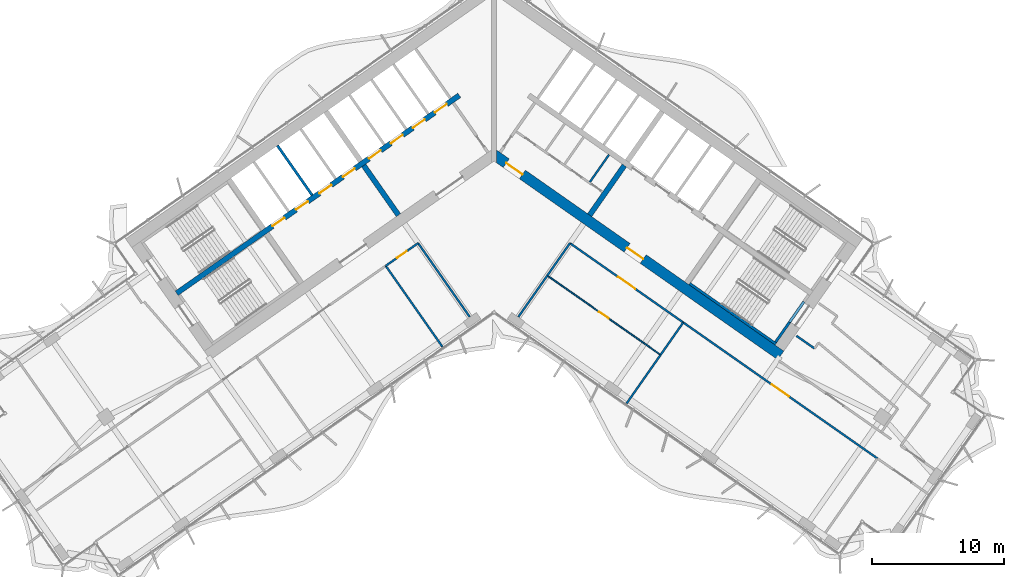
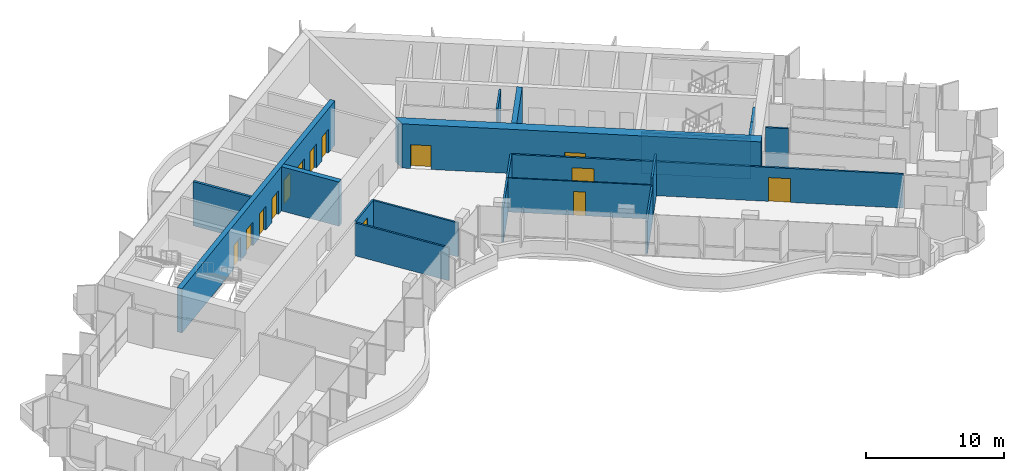
# One storey, part 13 of 21: 20 walls, 14 doors, 14 openings.
"""IFC4 building model written with IfcOpenShell, lengths in metres."""

from ifc_helpers import new_model, si_unit, direction, frame, frame_2d, origin, place, context, subcontext, project, spatial, polyline, rectangle, outline, extrude, material, layer, layer_set, type_object, element, fill, save


model = new_model("IFC4")

# Units and contexts
model_context = context("Model", 3, precision=1e-05, world=origin(), true_north=direction((0.0, 1.0)))
body_context = subcontext(model_context, "Body", "Model", "MODEL_VIEW")
ifc_project = project(units=[si_unit("LENGTHUNIT", "METRE"), si_unit("AREAUNIT", "SQUARE_METRE"), si_unit("VOLUMEUNIT", "CUBIC_METRE"), si_unit("PLANEANGLEUNIT", "RADIAN"), si_unit("MASSUNIT", "GRAM", prefix="KILO")], contexts=[model_context])

# Site, building, storey
site_placement = place(None, origin())
site = spatial("IfcSite", under=ifc_project, at=site_placement, CompositionType="ELEMENT")
building_placement = place(site_placement, origin())
building = spatial("IfcBuilding", under=site, at=building_placement, Name="Tel Ilan Convention Tower", CompositionType="ELEMENT")
storey_placement = place(building_placement, frame((0.0, 0.0, 151.5)))
storey = spatial("IfcBuildingStorey", under=building, at=storey_placement, Name="L34", CompositionType="ELEMENT", Elevation=151.5)

# Walls
ifc_material_1 = material(Name="Gypsum Plasterboard on Steel Stud", Category="steel")
ifc_layer_1 = layer(ifc_material_1, 0.14990234375)
ifc_layer_set_1 = layer_set([ifc_layer_1], Name="Core Room Partition Wall 150 mm EI 60")
wall_type_1 = type_object("IfcWallType", Name="Core Room Partition Wall 150 mm EI 60", PredefinedType="PARTITIONING", material=ifc_layer_set_1)
wall_1_placement = place(storey_placement, frame((7.280517578125, -2.808837890625, 0.0), z_axis=(0.0, 0.0, 1.0), x_axis=(0.573566168143, 0.81915923407, 0.0)))
element("IfcWall", 1, at=wall_1_placement, inside=storey, type_object=wall_type_1, Name="L34 core wall wc-v2", PredefinedType="PARTITIONING", context=body_context, shape_type="SweptSolid", body=[
    extrude(rectangle(XDim=2.52490234375, YDim=0.14990234375, at=frame_2d((1.262451171875, 0.0))), origin(), (0.0, 0.0, 1.0), 3.6201171875),
])
ifc_material_2 = material(Name="Concrete C50/60", Category="concrete")
ifc_layer_2 = layer(ifc_material_2, 0.39990234375)
ifc_layer_set_2 = layer_set([ifc_layer_2], Name="Core Shear Wall 400 mm C50/60")
wall_type_2 = type_object("IfcWallType", Name="Core Shear Wall 400 mm C50/60", PredefinedType="SHEAR", material=ifc_layer_set_2)
wall_2_placement = place(storey_placement, frame((-7.2578125, -5.325927734375, 0.0), z_axis=(0.0, 0.0, 1.0), x_axis=(-0.573540709186, 0.819177059558, 0.0)))
element("IfcWall", 2, at=wall_2_placement, inside=storey, type_object=wall_type_2, Name="L34 core wall W-cross1-1", PredefinedType="SHEAR", context=body_context, shape_type="SweptSolid", body=[
    extrude(outline(polyline([(4.599853515625, 0.2001953125), (-0.000244140625, 0.199951171875), (-0.000244140625, -0.2001953125), (4.599853515625, -0.199951171875), (4.599853515625, 0.2001953125)])), origin(), (0.0, 0.0, 1.0), 3.89990234375),
])

# Wall, openings, doors
wall_3_placement = place(storey_placement, frame((-2.638427734375, 3.76806640625, 0.0), z_axis=(0.0, 0.0, 1.0), x_axis=(-0.81915267502, -0.573575535572, 0.0)))
wall_3 = element("IfcWall", 3, at=wall_3_placement, inside=storey, type_object=wall_type_2, Name="L34 core wall W-spine", PredefinedType="SHEAR", context=body_context, shape_type="SweptSolid", body=[
    extrude(outline(polyline([(26.199951171875, 0.199951171875), (0.0, 0.199951171875), (0.0, -0.199951171875), (26.199951171875, -0.199951171875), (26.199951171875, 0.199951171875)])), origin(), (0.0, 0.0, 1.0), 3.89990234375),
])
opening_1_placement = place(wall_3_placement, frame((1.168701171875, 0.0, 0.0)))
opening_1 = element("IfcOpeningElement", 4, at=opening_1_placement, cuts=wall_3, Name="Opening LD2704", PredefinedType="OPENING", context=body_context, shape_type="SweptSolid", body=[
    extrude(rectangle(XDim=1.10009765625, YDim=2.10009765625, at=frame_2d((0.550048828125, 1.050048828125))), frame((0.0, 0.2099609375, 0.0), z_axis=(0.0, -1.0, 0.0), x_axis=(1.0, 0.0, 0.0)), (0.0, 0.0, 1.0), 0.419921875),
])
opening_2_placement = place(wall_3_placement, frame((3.206298828125, 0.0, 0.0)))
opening_2 = element("IfcOpeningElement", 5, at=opening_2_placement, cuts=wall_3, Name="Opening LD2705", PredefinedType="OPENING", context=body_context, shape_type="SweptSolid", body=[
    extrude(rectangle(XDim=1.10009765625, YDim=2.10009765625, at=frame_2d((0.550048828125, 1.050048828125))), frame((0.0, 0.2099609375, 0.0), z_axis=(0.0, -1.0, 0.0), x_axis=(1.0, 0.0, 0.0)), (0.0, 0.0, 1.0), 0.419921875),
])
opening_3_placement = place(wall_3_placement, frame((5.24365234375, 0.0, 0.0)))
opening_3 = element("IfcOpeningElement", 6, at=opening_3_placement, cuts=wall_3, Name="Opening LD2706", PredefinedType="OPENING", context=body_context, shape_type="SweptSolid", body=[
    extrude(rectangle(XDim=1.10009765625, YDim=2.10009765625, at=frame_2d((0.550048828125, 1.050048828125))), frame((0.0, 0.2099609375, 0.0), z_axis=(0.0, -1.0, 0.0), x_axis=(1.0, 0.0, 0.0)), (0.0, 0.0, 1.0), 0.419921875),
])
opening_4_placement = place(wall_3_placement, frame((7.28125, 0.0, 0.0)))
opening_4 = element("IfcOpeningElement", 7, at=opening_4_placement, cuts=wall_3, Name="Opening LD2707", PredefinedType="OPENING", context=body_context, shape_type="SweptSolid", body=[
    extrude(rectangle(XDim=1.10009765625, YDim=2.10009765625, at=frame_2d((0.550048828125, 1.050048828125))), frame((0.0, 0.2099609375, 0.0), z_axis=(0.0, -1.0, 0.0), x_axis=(1.0, 0.0, 0.0)), (0.0, 0.0, 1.0), 0.419921875),
])
opening_5_placement = place(wall_3_placement, frame((9.6875, 0.0, 0.0)))
opening_5 = element("IfcOpeningElement", 8, at=opening_5_placement, cuts=wall_3, Name="Opening LD2708", PredefinedType="OPENING", context=body_context, shape_type="SweptSolid", body=[
    extrude(rectangle(XDim=1.10009765625, YDim=2.10009765625, at=frame_2d((0.550048828125, 1.050048828125))), frame((0.0, 0.2099609375, 0.0), z_axis=(0.0, -1.0, 0.0), x_axis=(1.0, 0.0, 0.0)), (0.0, 0.0, 1.0), 0.419921875),
])
opening_6_placement = place(wall_3_placement, frame((11.862548828125, 0.0, 0.0)))
opening_6 = element("IfcOpeningElement", 9, at=opening_6_placement, cuts=wall_3, Name="Opening LD2709", PredefinedType="OPENING", context=body_context, shape_type="SweptSolid", body=[
    extrude(rectangle(XDim=1.10009765625, YDim=2.10009765625, at=frame_2d((0.550048828125, 1.050048828125))), frame((0.0, 0.2099609375, 0.0), z_axis=(0.0, -1.0, 0.0), x_axis=(1.0, 0.0, 0.0)), (0.0, 0.0, 1.0), 0.419921875),
])
opening_7_placement = place(wall_3_placement, frame((14.03759765625, 0.0, 0.0)))
opening_7 = element("IfcOpeningElement", 10, at=opening_7_placement, cuts=wall_3, Name="Opening LD2710", PredefinedType="OPENING", context=body_context, shape_type="SweptSolid", body=[
    extrude(rectangle(XDim=1.10009765625, YDim=2.10009765625, at=frame_2d((0.550048828125, 1.050048828125))), frame((0.0, 0.2099609375, 0.0), z_axis=(0.0, -1.0, 0.0), x_axis=(1.0, 0.0, 0.0)), (0.0, 0.0, 1.0), 0.419921875),
])
opening_8_placement = place(wall_3_placement, frame((16.21240234375, 0.0, 0.0)))
opening_8 = element("IfcOpeningElement", 11, at=opening_8_placement, cuts=wall_3, Name="Opening LD2711", PredefinedType="OPENING", context=body_context, shape_type="SweptSolid", body=[
    extrude(rectangle(XDim=1.10009765625, YDim=2.10009765625, at=frame_2d((0.550048828125, 1.050048828125))), frame((0.0, 0.2099609375, 0.0), z_axis=(0.0, -1.0, 0.0), x_axis=(1.0, 0.0, 0.0)), (0.0, 0.0, 1.0), 0.419921875),
])
ifc_material_3 = material(Name="Stainless Steel Sliding Door Leaf", Category="steel")
door_type_1 = type_object("IfcDoorType", Name="Lift Landing Door 1100 x 2100 FD120", OperationType="NOTDEFINED", PredefinedType="DOOR", material=ifc_material_3)
door_1_placement = place(opening_1_placement, origin())
door_1 = element("IfcDoor", 12, at=door_1_placement, inside=storey, type_object=door_type_1, Name="Lift LR1 landing door", OperationType="SLIDING_TO_LEFT", OverallHeight=2.10009765625, OverallWidth=1.10009765625, PredefinedType="DOOR", context=body_context, shape_type="SweptSolid", body=[
    extrude(rectangle(XDim=1.10009765625, YDim=2.10009765625, at=frame_2d((0.550048828125, 1.050048828125))), frame((0.0, 0.02490234375, 0.0), z_axis=(0.0, -1.0, 0.0), x_axis=(1.0, 0.0, 0.0)), (0.0, 0.0, 1.0), 0.050048828125),
])
fill(opening_1, door_1)
door_2_placement = place(opening_2_placement, origin())
door_2 = element("IfcDoor", 13, at=door_2_placement, inside=storey, type_object=door_type_1, Name="Lift LR2 landing door", OperationType="SLIDING_TO_RIGHT", OverallHeight=2.10009765625, OverallWidth=1.10009765625, PredefinedType="DOOR", context=body_context, shape_type="SweptSolid", body=[
    extrude(rectangle(XDim=1.10009765625, YDim=2.10009765625, at=frame_2d((0.550048828125, 1.050048828125))), frame((0.0, 0.02490234375, 0.0), z_axis=(0.0, -1.0, 0.0), x_axis=(1.0, 0.0, 0.0)), (0.0, 0.0, 1.0), 0.050048828125),
])
fill(opening_2, door_2)
door_3_placement = place(opening_3_placement, origin())
door_3 = element("IfcDoor", 14, at=door_3_placement, inside=storey, type_object=door_type_1, Name="Lift LR3 landing door", OperationType="SLIDING_TO_LEFT", OverallHeight=2.10009765625, OverallWidth=1.10009765625, PredefinedType="DOOR", context=body_context, shape_type="SweptSolid", body=[
    extrude(rectangle(XDim=1.10009765625, YDim=2.10009765625, at=frame_2d((0.550048828125, 1.050048828125))), frame((0.0, 0.02490234375, 0.0), z_axis=(0.0, -1.0, 0.0), x_axis=(1.0, 0.0, 0.0)), (0.0, 0.0, 1.0), 0.050048828125),
])
fill(opening_3, door_3)
door_4_placement = place(opening_4_placement, origin())
door_4 = element("IfcDoor", 15, at=door_4_placement, inside=storey, type_object=door_type_1, Name="Lift LR4 landing door", OperationType="SLIDING_TO_RIGHT", OverallHeight=2.10009765625, OverallWidth=1.10009765625, PredefinedType="DOOR", context=body_context, shape_type="SweptSolid", body=[
    extrude(rectangle(XDim=1.10009765625, YDim=2.10009765625, at=frame_2d((0.550048828125, 1.050048828125))), frame((0.0, 0.02490234375, 0.0), z_axis=(0.0, -1.0, 0.0), x_axis=(1.0, 0.0, 0.0)), (0.0, 0.0, 1.0), 0.050048828125),
])
fill(opening_4, door_4)
door_5_placement = place(opening_5_placement, origin())
door_5 = element("IfcDoor", 16, at=door_5_placement, inside=storey, type_object=door_type_1, Name="Lift LR5 landing door", OperationType="SLIDING_TO_LEFT", OverallHeight=2.10009765625, OverallWidth=1.10009765625, PredefinedType="DOOR", context=body_context, shape_type="SweptSolid", body=[
    extrude(rectangle(XDim=1.10009765625, YDim=2.10009765625, at=frame_2d((0.550048828125, 1.050048828125))), frame((0.0, 0.02490234375, 0.0), z_axis=(0.0, -1.0, 0.0), x_axis=(1.0, 0.0, 0.0)), (0.0, 0.0, 1.0), 0.050048828125),
])
fill(opening_5, door_5)
door_6_placement = place(opening_6_placement, origin())
door_6 = element("IfcDoor", 17, at=door_6_placement, inside=storey, type_object=door_type_1, Name="Lift LR6 landing door", OperationType="SLIDING_TO_RIGHT", OverallHeight=2.10009765625, OverallWidth=1.10009765625, PredefinedType="DOOR", context=body_context, shape_type="SweptSolid", body=[
    extrude(rectangle(XDim=1.10009765625, YDim=2.10009765625, at=frame_2d((0.550048828125, 1.050048828125))), frame((0.0, 0.02490234375, 0.0), z_axis=(0.0, -1.0, 0.0), x_axis=(1.0, 0.0, 0.0)), (0.0, 0.0, 1.0), 0.050048828125),
])
fill(opening_6, door_6)
door_7_placement = place(opening_7_placement, origin())
door_7 = element("IfcDoor", 18, at=door_7_placement, inside=storey, type_object=door_type_1, Name="Lift LR7 landing door", OperationType="SLIDING_TO_LEFT", OverallHeight=2.10009765625, OverallWidth=1.10009765625, PredefinedType="DOOR", context=body_context, shape_type="SweptSolid", body=[
    extrude(rectangle(XDim=1.10009765625, YDim=2.10009765625, at=frame_2d((0.550048828125, 1.050048828125))), frame((0.0, 0.02490234375, 0.0), z_axis=(0.0, -1.0, 0.0), x_axis=(1.0, 0.0, 0.0)), (0.0, 0.0, 1.0), 0.050048828125),
])
fill(opening_7, door_7)
door_8_placement = place(opening_8_placement, origin())
door_8 = element("IfcDoor", 19, at=door_8_placement, inside=storey, type_object=door_type_1, Name="Lift LR8 landing door", OperationType="SLIDING_TO_RIGHT", OverallHeight=2.10009765625, OverallWidth=1.10009765625, PredefinedType="DOOR", context=body_context, shape_type="SweptSolid", body=[
    extrude(rectangle(XDim=1.10009765625, YDim=2.10009765625, at=frame_2d((0.550048828125, 1.050048828125))), frame((0.0, 0.02490234375, 0.0), z_axis=(0.0, -1.0, 0.0), x_axis=(1.0, 0.0, 0.0)), (0.0, 0.0, 1.0), 0.050048828125),
])
fill(opening_8, door_8)

# Wall
wall_4_placement = place(storey_placement, frame((7.2578125, -5.325927734375, 0.0), z_axis=(0.0, 0.0, 1.0), x_axis=(0.573540709186, 0.819177059558, 0.0)))
element("IfcWall", 20, at=wall_4_placement, inside=storey, type_object=wall_type_2, Name="L34 core wall E-cross1-1", PredefinedType="SHEAR", context=body_context, shape_type="SweptSolid", body=[
    extrude(outline(polyline([(-0.000244140625, 0.2001953125), (-0.000244140625, -0.199951171875), (4.599853515625, -0.2001953125), (4.599853515625, 0.199951171875), (-0.000244140625, 0.2001953125)])), origin(), (0.0, 0.0, 1.0), 3.89990234375),
])

# Wall, openings, doors
ifc_material_4 = material(Name="Concrete C50/60", Category="concrete")
ifc_layer_3 = layer(ifc_material_4, 0.800048828125)
ifc_layer_set_3 = layer_set([ifc_layer_3], Name="Core Shear Wall 800 mm C50/60")
wall_type_3 = type_object("IfcWallType", Name="Core Shear Wall 800 mm C50/60", PredefinedType="SHEAR", material=ifc_layer_set_3)
wall_5_placement = place(storey_placement, frame((-0.029296875, -0.7119140625, 0.0), z_axis=(0.0, 0.0, 1.0), x_axis=(0.819151758019, -0.573576845187, 0.0)))
wall_5 = element("IfcWall", 21, at=wall_5_placement, inside=storey, type_object=wall_type_3, Name="L34 core wall E-front", PredefinedType="SHEAR", context=body_context, shape_type="SweptSolid", body=[
    extrude(outline(polyline([(26.61572265625, 0.39990234375), (-0.000244140625, 0.39990234375), (0.56005859375, -0.39990234375), (26.61572265625, -0.39990234375), (26.61572265625, 0.39990234375)])), origin(), (0.0, 0.0, 1.0), 3.89990234375),
])
opening_9_placement = place(wall_5_placement, frame((1.165771484375, 0.0, 0.0)))
opening_9 = element("IfcOpeningElement", 22, at=opening_9_placement, cuts=wall_5, Name="Opening CD2703", PredefinedType="OPENING", context=body_context, shape_type="SweptSolid", body=[
    extrude(rectangle(XDim=1.5, YDim=2.10009765625, at=frame_2d((0.75, 1.050048828125))), frame((0.0, 0.409912109375, 0.0), z_axis=(0.0, -1.0, 0.0), x_axis=(1.0, 0.0, 0.0)), (0.0, 0.0, 1.0), 0.820068359375),
])
opening_10_placement = place(wall_5_placement, frame((12.36572265625, 0.0, 0.0)))
opening_10 = element("IfcOpeningElement", 23, at=opening_10_placement, cuts=wall_5, Name="Opening CD2704", PredefinedType="OPENING", context=body_context, shape_type="SweptSolid", body=[
    extrude(rectangle(XDim=1.5, YDim=2.10009765625, at=frame_2d((0.75, 1.050048828125))), frame((0.0, 0.409912109375, 0.0), z_axis=(0.0, -1.0, 0.0), x_axis=(1.0, 0.0, 0.0)), (0.0, 0.0, 1.0), 0.820068359375),
])
ifc_material_5 = material(Name="Glazed Aluminium Door Leaf", Category="aluminium")
door_type_2 = type_object("IfcDoorType", Name="Lobby Opening Door 1500 x 2100 FD60S", OperationType="NOTDEFINED", PredefinedType="DOOR", material=ifc_material_5)
door_9_placement = place(opening_10_placement, origin())
door_9 = element("IfcDoor", 24, at=door_9_placement, inside=storey, type_object=door_type_2, Name="Firefighting Lobby door", OperationType="DOUBLE_DOOR_SINGLE_SWING", OverallHeight=2.10009765625, OverallWidth=1.5, PredefinedType="DOOR", context=body_context, shape_type="SweptSolid", body=[
    extrude(rectangle(XDim=1.5, YDim=2.10009765625, at=frame_2d((0.75, 1.050048828125))), frame((0.0, 0.02490234375, 0.0), z_axis=(0.0, -1.0, 0.0), x_axis=(1.0, 0.0, 0.0)), (0.0, 0.0, 1.0), 0.050048828125),
])
fill(opening_10, door_9)
ifc_material_6 = material(Name="Laminated Timber Door Leaf", Category="wood")
door_type_3 = type_object("IfcDoorType", Name="Toilet Door 1500 x 2100 FD30S", OperationType="NOTDEFINED", PredefinedType="DOOR", material=ifc_material_6)
door_10_placement = place(opening_9_placement, origin())
door_10 = element("IfcDoor", 25, at=door_10_placement, inside=storey, type_object=door_type_3, Name="WC Lobby door", OperationType="SINGLE_SWING_RIGHT", OverallHeight=2.10009765625, OverallWidth=1.5, PredefinedType="DOOR", context=body_context, shape_type="SweptSolid", body=[
    extrude(rectangle(XDim=1.5, YDim=2.10009765625, at=frame_2d((0.75, 1.050048828125))), frame((0.0, 0.02490234375, 0.0), z_axis=(0.0, -1.0, 0.0), x_axis=(1.0, 0.0, 0.0)), (0.0, 0.0, 1.0), 0.050048828125),
])
fill(opening_9, door_10)

# Wall, opening, door
ifc_material_7 = material(Name="Plasterboard on Steel Studs", Category="steel")
ifc_layer_4 = layer(ifc_material_7, 0.14990234375)
ifc_layer_set_4 = layer_set([ifc_layer_4], Name="Fire-rated Partition 150 EI 60")
wall_type_4 = type_object("IfcWallType", Name="Fire-rated Partition 150 EI 60", PredefinedType="PARTITIONING", material=ifc_layer_set_4)
wall_6_placement = place(storey_placement, frame((14.369140625, -13.4794921875, 0.0), z_axis=(0.0, 0.0, 1.0), x_axis=(-0.819154371039, 0.573573113393, 0.0)))
wall_6 = element("IfcWall", 26, at=wall_6_placement, inside=storey, type_object=wall_type_4, Name="Partition 003", PredefinedType="PARTITIONING", context=body_context, shape_type="SweptSolid", body=[
    extrude(rectangle(XDim=10.501953125, YDim=0.14990234375, at=frame_2d((5.2509765625, 0.0))), origin(), (0.0, 0.0, 1.0), 3.0),
])
opening_11_placement = place(wall_6_placement, frame((4.450927734375, 0.0, 0.0)))
opening_11 = element("IfcOpeningElement", 27, at=opening_11_placement, cuts=wall_6, Name="Opening L33-008", PredefinedType="OPENING", context=body_context, shape_type="SweptSolid", body=[
    extrude(rectangle(XDim=1.60009765625, YDim=2.10009765625, at=frame_2d((0.800048828125, 1.050048828125))), frame((0.0, 0.0849609375, 0.0), z_axis=(0.0, -1.0, 0.0), x_axis=(1.0, 0.0, 0.0)), (0.0, 0.0, 1.0), 0.169921875),
])
ifc_material_8 = material(Name="Timber Door Leaf in Steel Frame", Category="steel")
door_type_4 = type_object("IfcDoorType", Name="Tenant Suite Entrance Fire Door 1600x2100", OperationType="NOTDEFINED", PredefinedType="DOOR", material=ifc_material_8)
door_11_placement = place(opening_11_placement, origin())
door_11 = element("IfcDoor", 28, at=door_11_placement, inside=storey, type_object=door_type_4, Name="Door L33-008", OperationType="DOUBLE_DOOR_SINGLE_SWING", OverallHeight=2.10009765625, OverallWidth=1.60009765625, PredefinedType="DOOR", context=body_context, shape_type="SweptSolid", body=[
    extrude(rectangle(XDim=1.60009765625, YDim=2.10009765625, at=frame_2d((0.800048828125, 1.050048828125))), frame((0.0, 0.02490234375, 0.0), z_axis=(0.0, -1.0, 0.0), x_axis=(1.0, 0.0, 0.0)), (0.0, 0.0, 1.0), 0.050048828125),
])
fill(opening_11, door_11)

wall_7_placement = place(storey_placement, frame((29.11376953125, -23.803955078125, 0.0), z_axis=(0.0, 0.0, 1.0), x_axis=(-0.81915291695, 0.57357519006, 0.0)))
wall_7 = element("IfcWall", 29, at=wall_7_placement, inside=storey, type_object=wall_type_4, Name="Partition 004", PredefinedType="PARTITIONING", context=body_context, shape_type="SweptSolid", body=[
    extrude(rectangle(XDim=18.00390625, YDim=0.14990234375, at=frame_2d((9.001953125, 0.0))), origin(), (0.0, 0.0, 1.0), 3.0),
])
opening_12_placement = place(wall_7_placement, frame((8.201904296875, 0.0, 0.0)))
opening_12 = element("IfcOpeningElement", 30, at=opening_12_placement, cuts=wall_7, Name="Opening L33-010", PredefinedType="OPENING", context=body_context, shape_type="SweptSolid", body=[
    extrude(rectangle(XDim=1.60009765625, YDim=2.10009765625, at=frame_2d((0.800048828125, 1.050048828125))), frame((0.0, 0.0849609375, 0.0), z_axis=(0.0, -1.0, 0.0), x_axis=(1.0, 0.0, 0.0)), (0.0, 0.0, 1.0), 0.169921875),
])
door_12_placement = place(opening_12_placement, origin())
door_12 = element("IfcDoor", 31, at=door_12_placement, inside=storey, type_object=door_type_4, Name="Door L33-010", OperationType="DOUBLE_DOOR_SINGLE_SWING", OverallHeight=2.10009765625, OverallWidth=1.60009765625, PredefinedType="DOOR", context=body_context, shape_type="SweptSolid", body=[
    extrude(rectangle(XDim=1.60009765625, YDim=2.10009765625, at=frame_2d((0.800048828125, 1.050048828125))), frame((0.0, 0.02490234375, 0.0), z_axis=(0.0, -1.0, 0.0), x_axis=(1.0, 0.0, 0.0)), (0.0, 0.0, 1.0), 0.050048828125),
])
fill(opening_12, door_12)

wall_8_placement = place(storey_placement, frame((-5.766357421875, -7.455810546875, 0.0), z_axis=(0.0, 0.0, 1.0), x_axis=(-0.819132568355, -0.573604249862, 0.0)))
wall_8 = element("IfcWall", 32, at=wall_8_placement, inside=storey, type_object=wall_type_4, Name="Partition 008", PredefinedType="PARTITIONING", context=body_context, shape_type="SweptSolid", body=[
    extrude(rectangle(XDim=3.001953125, YDim=0.14990234375, at=frame_2d((1.5009765625, 0.0))), origin(), (0.0, 0.0, 1.0), 3.0),
])
opening_13_placement = place(wall_8_placement, frame((1.051025390625, 0.0, 0.0)))
opening_13 = element("IfcOpeningElement", 33, at=opening_13_placement, cuts=wall_8, Name="Opening L33-001", PredefinedType="OPENING", context=body_context, shape_type="SweptSolid", body=[
    extrude(rectangle(XDim=0.89990234375, YDim=2.10009765625, at=frame_2d((0.449951171875, 1.050048828125))), frame((0.0, 0.0849609375, 0.0), z_axis=(0.0, -1.0, 0.0), x_axis=(1.0, 0.0, 0.0)), (0.0, 0.0, 1.0), 0.169921875),
])
ifc_material_9 = material(Name="Timber Door Leaf in Steel Frame", Category="steel")
door_type_5 = type_object("IfcDoorType", Name="Room Fire Door 900x2100", OperationType="NOTDEFINED", PredefinedType="DOOR", material=ifc_material_9)
door_13_placement = place(opening_13_placement, origin())
door_13 = element("IfcDoor", 34, at=door_13_placement, inside=storey, type_object=door_type_5, Name="Door L33-001", OperationType="SINGLE_SWING_RIGHT", OverallHeight=2.10009765625, OverallWidth=0.89990234375, PredefinedType="DOOR", context=body_context, shape_type="SweptSolid", body=[
    extrude(rectangle(XDim=0.89990234375, YDim=2.10009765625, at=frame_2d((0.449951171875, 1.050048828125))), frame((0.0, 0.02490234375, 0.0), z_axis=(0.0, -1.0, 0.0), x_axis=(1.0, 0.0, 0.0)), (0.0, 0.0, 1.0), 0.050048828125),
])
fill(opening_13, door_13)

# Walls
wall_9_placement = place(storey_placement, frame((22.961181640625, -14.490478515625, 0.0), z_axis=(0.0, 0.0, 1.0), x_axis=(0.819109000826, -0.573637903879, 0.0)))
element("IfcWall", 35, at=wall_9_placement, inside=storey, type_object=wall_type_4, Name="Partition 016", PredefinedType="PARTITIONING", context=body_context, shape_type="SweptSolid", body=[
    extrude(rectangle(XDim=1.679931640625, YDim=0.14990234375, at=frame_2d((0.83984375, 0.0))), origin(), (0.0, 0.0, 1.0), 3.6201171875),
])
wall_10_placement = place(storey_placement, frame((12.64599609375, -15.9365234375, 0.0), z_axis=(0.0, 0.0, 1.0), x_axis=(-0.573527897688, -0.819186029284, 0.0)))
element("IfcWall", 36, at=wall_10_placement, inside=storey, type_object=wall_type_4, Name="Partition 024", PredefinedType="PARTITIONING", context=body_context, shape_type="SweptSolid", body=[
    extrude(rectangle(XDim=4.4990234375, YDim=0.14990234375, at=frame_2d((2.24951171875, 0.0))), origin(), (0.0, 0.0, 1.0), 2.89990234375),
])
wall_11_placement = place(storey_placement, frame((1.848876953125, -13.050537109375, 0.0), z_axis=(0.0, 0.0, 1.0), x_axis=(0.573594994199, 0.819139049631, 0.0)))
element("IfcWall", 37, at=wall_11_placement, inside=storey, type_object=wall_type_4, Name="Partition 025", PredefinedType="PARTITIONING", context=body_context, shape_type="SweptSolid", body=[
    extrude(rectangle(XDim=3.8291015625, YDim=0.14990234375, at=frame_2d((1.91455078125, 0.0))), origin(), (0.0, 0.0, 1.0), 3.0),
])
wall_12_placement = place(storey_placement, frame((14.367431640625, -13.478515625, 0.0), z_axis=(0.0, 0.0, 1.0), x_axis=(-0.573598887793, -0.819136323161, 0.0)))
element("IfcWall", 38, at=wall_12_placement, inside=storey, type_object=wall_type_4, Name="Partition 026", PredefinedType="PARTITIONING", context=body_context, shape_type="SweptSolid", body=[
    extrude(rectangle(XDim=2.999755859375, YDim=0.14990234375, at=frame_2d((1.5, 0.0))), origin(), (0.0, 0.0, 1.0), 3.6201171875),
])
wall_13_placement = place(storey_placement, frame((4.045654296875, -9.913330078125, 0.0), z_axis=(0.0, 0.0, 1.0), x_axis=(0.573560650686, 0.819163097304, 0.0)))
element("IfcWall", 39, at=wall_13_placement, inside=storey, type_object=wall_type_4, Name="Partition 027", PredefinedType="PARTITIONING", context=body_context, shape_type="SweptSolid", body=[
    extrude(rectangle(XDim=3.0, YDim=0.14990234375, at=frame_2d((1.5, 0.0))), origin(), (0.0, 0.0, 1.0), 3.0),
])
wall_14_placement = place(storey_placement, frame((-1.848876953125, -13.050537109375, 0.0), z_axis=(0.0, 0.0, 1.0), x_axis=(-0.57357985571, 0.819149650018, 0.0)))
element("IfcWall", 40, at=wall_14_placement, inside=storey, type_object=wall_type_4, Name="Partition 029", PredefinedType="PARTITIONING", context=body_context, shape_type="SweptSolid", body=[
    extrude(rectangle(XDim=6.83203125, YDim=0.14990234375, at=frame_2d((3.416015625, 0.0))), origin(), (0.0, 0.0, 1.0), 3.0),
])
wall_15_placement = place(storey_placement, frame((-3.922119140625, -15.3203125, 0.0), z_axis=(0.0, 0.0, 1.0), x_axis=(-0.573560650686, 0.819163097304, 0.0)))
element("IfcWall", 41, at=wall_15_placement, inside=storey, type_object=wall_type_4, Name="Partition 033", PredefinedType="PARTITIONING", context=body_context, shape_type="SweptSolid", body=[
    extrude(rectangle(XDim=7.5, YDim=0.14990234375, at=frame_2d((3.75, 0.0))), origin(), (0.0, 0.0, 1.0), 2.89990234375),
])
ifc_material_10 = material(Name="Concrete C30/37", Category="concrete")
ifc_layer_5 = layer(ifc_material_10, 0.199951171875)
ifc_layer_set_5 = layer_set([ifc_layer_5], Name="Lift Shaft Wall 200 mm C30/37")
wall_type_5 = type_object("IfcWallType", Name="Lift Shaft Wall 200 mm C30/37", PredefinedType="SOLIDWALL", material=ifc_layer_set_5)
wall_16_placement = place(storey_placement, frame((-13.811767578125, -3.811279296875, 0.0), z_axis=(0.0, 0.0, 1.0), x_axis=(-0.573576324356, 0.819152122709, 0.0)))
element("IfcWall", 42, at=wall_16_placement, inside=storey, type_object=wall_type_5, Name="L34 core wall bank-W2-p1", PredefinedType="SOLIDWALL", context=body_context, shape_type="SweptSolid", body=[
    extrude(rectangle(XDim=4.599853515625, YDim=0.199951171875, at=frame_2d((2.2998046875, 0.0))), origin(), (0.0, 0.0, 1.0), 3.89990234375),
])

# Wall, opening, door
ifc_material_11 = material(Name="Plasterboard on Steel Studs", Category="steel")
ifc_layer_6 = layer(ifc_material_11, 0.10009765625)
ifc_layer_set_6 = layer_set([ifc_layer_6], Name="Plasterboard Partition 100")
wall_type_6 = type_object("IfcWallType", Name="Plasterboard Partition 100", PredefinedType="PARTITIONING", material=ifc_layer_set_6)
wall_17_placement = place(storey_placement, frame((12.64599609375, -15.9365234375, 0.0), z_axis=(0.0, 0.0, 1.0), x_axis=(-0.81914779845, 0.57358249999, 0.0)))
wall_17 = element("IfcWall", 43, at=wall_17_placement, inside=storey, type_object=wall_type_6, Name="Partition 023", PredefinedType="PARTITIONING", context=body_context, shape_type="SweptSolid", body=[
    extrude(rectangle(XDim=10.499755859375, YDim=0.10009765625, at=frame_2d((5.25, 0.0))), origin(), (0.0, 0.0, 1.0), 3.0),
])
opening_14_placement = place(wall_17_placement, frame((4.800048828125, 0.0, 0.0)))
opening_14 = element("IfcOpeningElement", 44, at=opening_14_placement, cuts=wall_17, Name="Opening L33-009", PredefinedType="OPENING", context=body_context, shape_type="SweptSolid", body=[
    extrude(rectangle(XDim=0.89990234375, YDim=2.10009765625, at=frame_2d((0.449951171875, 1.050048828125))), frame((0.0, 0.06005859375, 0.0), z_axis=(0.0, -1.0, 0.0), x_axis=(1.0, 0.0, 0.0)), (0.0, 0.0, 1.0), 0.1201171875),
])
ifc_material_12 = material(Name="Timber Door Leaf in Steel Frame", Category="steel")
door_type_6 = type_object("IfcDoorType", Name="Room Timber Door 900x2100", OperationType="NOTDEFINED", PredefinedType="DOOR", material=ifc_material_12)
door_14_placement = place(opening_14_placement, origin())
door_14 = element("IfcDoor", 45, at=door_14_placement, inside=storey, type_object=door_type_6, Name="Door L33-009", OperationType="SINGLE_SWING_RIGHT", OverallHeight=2.10009765625, OverallWidth=0.89990234375, PredefinedType="DOOR", context=body_context, shape_type="SweptSolid", body=[
    extrude(rectangle(XDim=0.89990234375, YDim=2.10009765625, at=frame_2d((0.449951171875, 1.050048828125))), frame((0.0, 0.02490234375, 0.0), z_axis=(0.0, -1.0, 0.0), x_axis=(1.0, 0.0, 0.0)), (0.0, 0.0, 1.0), 0.050048828125),
])
fill(opening_14, door_14)

# Walls
ifc_material_13 = material(Name="Concrete C30/37", Category="concrete")
ifc_layer_7 = layer(ifc_material_13, 0.199951171875)
ifc_layer_set_7 = layer_set([ifc_layer_7], Name="Stair and Shaft Lining Wall 200 mm C30/37")
wall_type_7 = type_object("IfcWallType", Name="Stair and Shaft Lining Wall 200 mm C30/37", PredefinedType="SOLIDWALL", material=ifc_layer_set_7)
wall_18_placement = place(storey_placement, frame((14.851318359375, -10.52099609375, 0.0), z_axis=(0.0, 0.0, 1.0), x_axis=(0.819141584393, -0.57359137434, 0.0)))
element("IfcWall", 46, at=wall_18_placement, inside=storey, type_object=wall_type_7, Name="L34 core wall lining-S4-t0", PredefinedType="SOLIDWALL", context=body_context, shape_type="SweptSolid", body=[
    extrude(rectangle(XDim=7.999755859375, YDim=0.199951171875, at=frame_2d((4.0, 0.0))), origin(), (0.0, 0.0, 1.0), 3.6201171875),
])
wall_19_placement = place(storey_placement, frame((21.3798828125, -14.97021484375, 0.0), z_axis=(0.0, 0.0, 1.0), x_axis=(0.573559770908, 0.819163713305, 0.0)))
element("IfcWall", 47, at=wall_19_placement, inside=storey, type_object=wall_type_7, Name="L34 core wall lining-S4-u1-0", PredefinedType="SOLIDWALL", context=body_context, shape_type="SweptSolid", body=[
    extrude(rectangle(XDim=1.849853515625, YDim=0.199951171875, at=frame_2d((0.9248046875, 0.0))), origin(), (0.0, 0.0, 1.0), 3.6201171875),
])
wall_20_placement = place(storey_placement, frame((22.44091796875, -13.454833984375, 2.14990234375), z_axis=(0.0, 0.0, 1.0), x_axis=(0.573591692345, 0.819141361715, 0.0)))
element("IfcWall", 48, at=wall_20_placement, inside=storey, type_object=wall_type_7, Name="L34 core wall lining-S4-u1-lintel", PredefinedType="SOLIDWALL", context=body_context, shape_type="SweptSolid", body=[
    extrude(rectangle(XDim=1.900146484375, YDim=0.199951171875, at=frame_2d((0.9501953125, 0.0))), origin(), (0.0, 0.0, 1.0), 1.47021484375),
])

save(model, "model.ifc")
